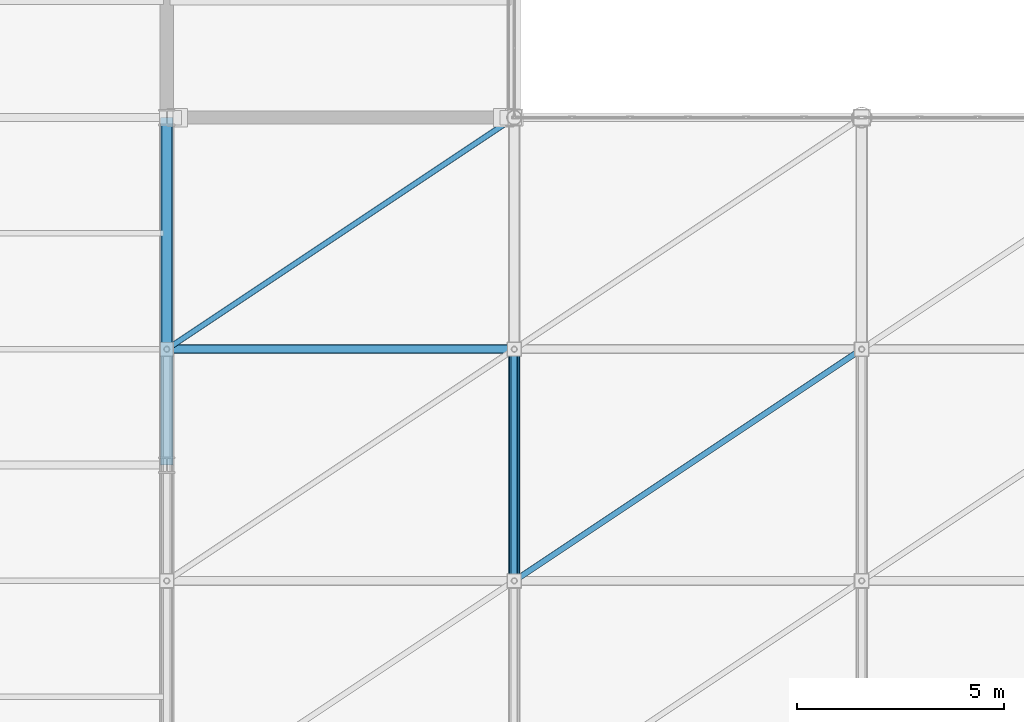
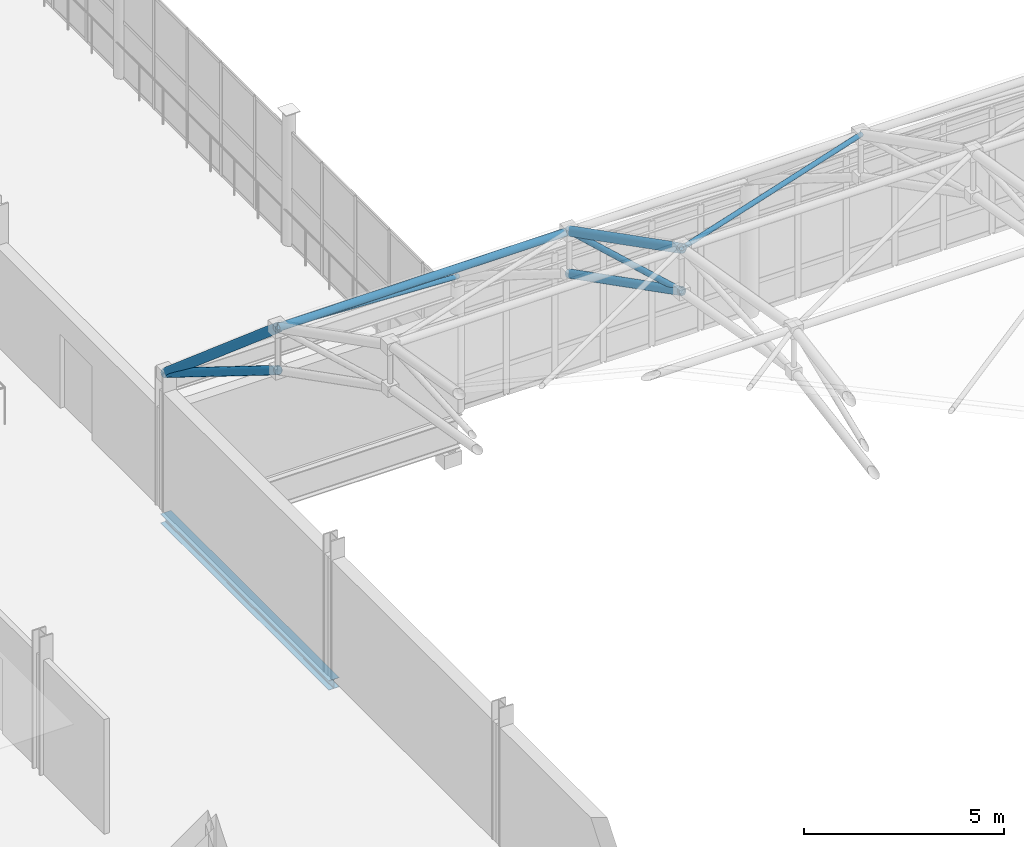
# One storey, part 44 of 184: 8 members, 1 beam.
"""IFC4 building model written with IfcOpenShell, lengths in metres."""

from ifc_helpers import new_model, si_unit, direction, frame, origin, origin_2d, place, context, subcontext, project, spatial, hollow_circle, i_section, extrude, material, material_profile, profile_set, type_object, element, save


model = new_model("IFC4")

# Units and contexts
model_context = context("Model", 3, precision=1e-05, world=origin(), true_north=direction((0.0, 1.0)))
body_context = subcontext(model_context, "Body", "Model", "MODEL_VIEW")
ifc_project = project(units=[si_unit("LENGTHUNIT", "METRE"), si_unit("AREAUNIT", "SQUARE_METRE"), si_unit("VOLUMEUNIT", "CUBIC_METRE"), si_unit("PLANEANGLEUNIT", "RADIAN"), si_unit("MASSUNIT", "GRAM", prefix="KILO")], contexts=[model_context])

# Site, building, storey
site_placement = place(None, origin())
site = spatial("IfcSite", under=ifc_project, at=site_placement, CompositionType="ELEMENT")
building_placement = place(site_placement, origin())
building = spatial("IfcBuilding", under=site, at=building_placement, Name="Qalvenar Corner Mobility Hub", CompositionType="ELEMENT")
storey_placement = place(building_placement, frame((0.0, 0.0, 9.0)))
storey = spatial("IfcBuildingStorey", under=building, at=storey_placement, Name="L02", CompositionType="ELEMENT", Elevation=9.0)

# Beam
ifc_material_1 = material(Name="Steel S355", Category="steel")
ifc_material_profile_1 = material_profile(ifc_material_1, i_section(OverallWidth=0.300048828125, OverallDepth=0.2900390625, WebThickness=0.008544921875, FlangeThickness=0.013916015625, FilletRadius=0.027099609375, at=origin_2d()), Name="HEA300")
ifc_profile_set_1 = profile_set([ifc_material_profile_1], Name="Steel S355")
beam_type = type_object("IfcBeamType", Name="BM-SPN300", PredefinedType="SPANDREL", material=ifc_profile_set_1)
beam_placement = place(storey_placement, frame((50.39990234375, 25.199951171875, -0.324951171875), z_axis=(0.0, 1.0, 0.0), x_axis=(-1.0, 0.0, 0.0)))
element("IfcBeam", 1, at=beam_placement, inside=storey, type_object=beam_type, Name="Primary Steel Girder GY-1610", PredefinedType="SPANDREL", context=body_context, shape_type="SweptSolid", body=[
    extrude(i_section(OverallWidth=0.300048828125, OverallDepth=0.2900390625, WebThickness=0.008544921875, FlangeThickness=0.013916015625, FilletRadius=0.027099609375, at=origin_2d()), origin(), (0.0, 0.0, 1.0), 8.400146484375),
])

# Members
ifc_material_2 = material(Name="Steel S355", Category="steel")
ifc_material_profile_2 = material_profile(ifc_material_2, hollow_circle(Radius=0.109619140625, WallThickness=0.008056640625, at=origin_2d()), Name="CHS219.1x8")
ifc_profile_set_2 = profile_set([ifc_material_profile_2], Name="Steel S355")
member_type_1 = type_object("IfcMemberType", Name="SF-CHD219", PredefinedType="CHORD", material=ifc_profile_set_2)
member_1_placement = place(storey_placement, frame((50.39990234375, 28.0, 8.837890625), z_axis=(1.0, 0.0, 0.0), x_axis=(0.0, 1.0, 0.0)))
element("IfcMember", 2, at=member_1_placement, inside=storey, type_object=member_type_1, Name="Space Frame Longitudinal Chord SFL-0173", PredefinedType="CHORD", context=body_context, shape_type="SweptSolid", body=[
    extrude(hollow_circle(Radius=0.109619140625, WallThickness=0.008056640625, at=origin_2d()), origin(), (0.0, 0.0, 1.0), 8.400146484375),
])
ifc_material_profile_3 = material_profile(ifc_material_2, hollow_circle(Radius=0.122314453125, WallThickness=0.0087890625, at=origin_2d()), Name="CHS244.5x8.8")
ifc_profile_set_3 = profile_set([ifc_material_profile_3], Name="Steel S355")
member_type_2 = type_object("IfcMemberType", Name="SF-CHD244", PredefinedType="CHORD", material=ifc_profile_set_3)
member_2_placement = place(storey_placement, frame((50.39990234375, 28.0, 7.537841796875), z_axis=(0.0, 0.849513681623, -0.527566587964), x_axis=(-1.0, 0.0, 0.0)))
element("IfcMember", 3, at=member_2_placement, inside=storey, type_object=member_type_2, Name="Space Frame Bottom Chord SFBC-0016", PredefinedType="CHORD", context=body_context, shape_type="SweptSolid", body=[
    extrude(hollow_circle(Radius=0.122314453125, WallThickness=0.0087890625, at=origin_2d()), origin(), (0.0, 0.0, 1.0), 6.592041015625),
])
member_3_placement = place(storey_placement, frame((58.800048828125, 22.39990234375, 10.404296875), z_axis=(0.0, 0.890165077293, -0.455638162547), x_axis=(-1.0, 0.0, 0.0)))
element("IfcMember", 4, at=member_3_placement, inside=storey, type_object=member_type_2, Name="Space Frame Bottom Chord SFBC-0034", PredefinedType="CHORD", context=body_context, shape_type="SweptSolid", body=[
    extrude(hollow_circle(Radius=0.122314453125, WallThickness=0.0087890625, at=origin_2d()), origin(), (0.0, 0.0, 1.0), 6.291015625),
])
ifc_material_profile_4 = material_profile(ifc_material_2, hollow_circle(Radius=0.136474609375, WallThickness=0.010009765625, at=origin_2d()), Name="CHS273x10")
ifc_profile_set_4 = profile_set([ifc_material_profile_4], Name="Steel S355")
member_type_3 = type_object("IfcMemberType", Name="SF-CHD273", PredefinedType="CHORD", material=ifc_profile_set_4)
member_4_placement = place(storey_placement, frame((50.39990234375, 28.0, 8.837890625), z_axis=(0.0, 0.760748216799, -0.64904710972), x_axis=(-1.0, 0.0, 0.0)))
element("IfcMember", 5, at=member_4_placement, inside=storey, type_object=member_type_3, Name="Space Frame Top Chord SFTC-0015", PredefinedType="CHORD", context=body_context, shape_type="SweptSolid", body=[
    extrude(hollow_circle(Radius=0.136474609375, WallThickness=0.010009765625, at=origin_2d()), origin(), (0.0, 0.0, 1.0), 7.361328125),
])
member_5_placement = place(storey_placement, frame((58.800048828125, 22.39990234375, 11.704345703125), z_axis=(0.0, 0.890165077293, -0.455638162547), x_axis=(-1.0, 0.0, 0.0)))
element("IfcMember", 6, at=member_5_placement, inside=storey, type_object=member_type_3, Name="Space Frame Top Chord SFTC-0033", PredefinedType="CHORD", context=body_context, shape_type="SweptSolid", body=[
    extrude(hollow_circle(Radius=0.136474609375, WallThickness=0.010009765625, at=origin_2d()), origin(), (0.0, 0.0, 1.0), 6.291015625),
])
ifc_material_profile_5 = material_profile(ifc_material_2, hollow_circle(Radius=0.06982421875, WallThickness=0.0048828125, at=origin_2d()), Name="CHS139.7x5")
ifc_profile_set_5 = profile_set([ifc_material_profile_5], Name="Steel S355")
member_type_4 = type_object("IfcMemberType", Name="SF-STR139", PredefinedType="STRUT", material=ifc_profile_set_5)
member_6_placement = place(storey_placement, frame((50.39990234375, 28.0, 8.837890625), z_axis=(0.752080684615, 0.501387123077, -0.427768157582), x_axis=(-0.554700196225, 0.832050294338, 0.0)))
element("IfcMember", 7, at=member_6_placement, inside=storey, type_object=member_type_4, Name="Space Frame Plan Strut SFP-0179", PredefinedType="STRUT", context=body_context, shape_type="SweptSolid", body=[
    extrude(hollow_circle(Radius=0.06982421875, WallThickness=0.0048828125, at=origin_2d()), origin(), (0.0, 0.0, 1.0), 11.169189453125),
])
member_7_placement = place(storey_placement, frame((58.800048828125, 22.39990234375, 11.704345703125), z_axis=(0.800404556172, 0.533618546459, -0.273136949777), x_axis=(-0.554711357594, 0.832042853317, 0.0)))
element("IfcMember", 8, at=member_7_placement, inside=storey, type_object=member_type_4, Name="Space Frame Plan Strut SFP-0189", PredefinedType="STRUT", context=body_context, shape_type="SweptSolid", body=[
    extrude(hollow_circle(Radius=0.06982421875, WallThickness=0.0048828125, at=origin_2d()), origin(), (0.0, 0.0, 1.0), 10.49462890625),
])
ifc_material_profile_6 = material_profile(ifc_material_2, hollow_circle(Radius=0.084228515625, WallThickness=0.00634765625, at=origin_2d()), Name="CHS168.3x6.3")
ifc_profile_set_6 = profile_set([ifc_material_profile_6], Name="Steel S355")
member_type_5 = type_object("IfcMemberType", Name="SF-STR168", PredefinedType="STRUT", material=ifc_profile_set_6)
member_8_placement = place(storey_placement, frame((58.800048828125, 22.39990234375, 10.404296875), z_axis=(0.0, 0.963036367481, -0.269371407), x_axis=(-1.0, 0.0, 0.0)))
element("IfcMember", 9, at=member_8_placement, inside=storey, type_object=member_type_5, Name="Space Frame Web Strut SFD-0035", PredefinedType="STRUT", context=body_context, shape_type="SweptSolid", body=[
    extrude(hollow_circle(Radius=0.084228515625, WallThickness=0.00634765625, at=origin_2d()), origin(), (0.0, 0.0, 1.0), 5.81494140625),
])

save(model, "model.ifc")
